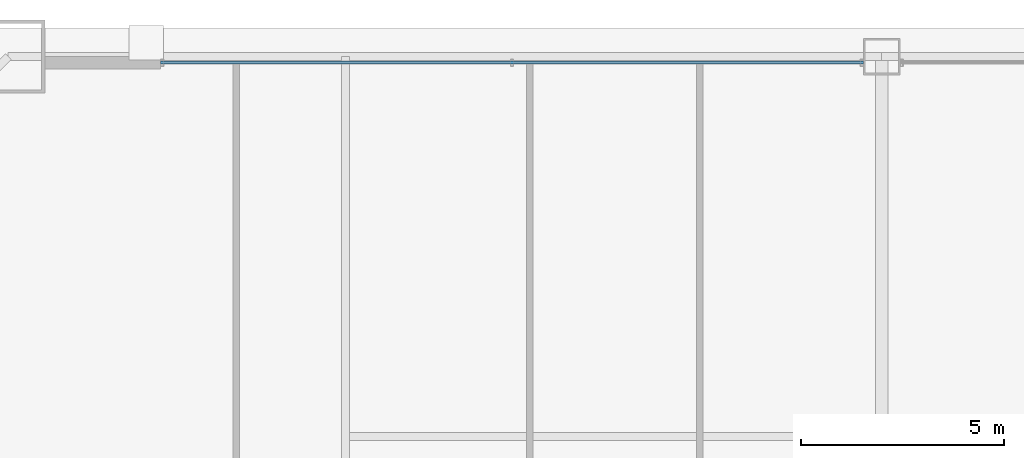
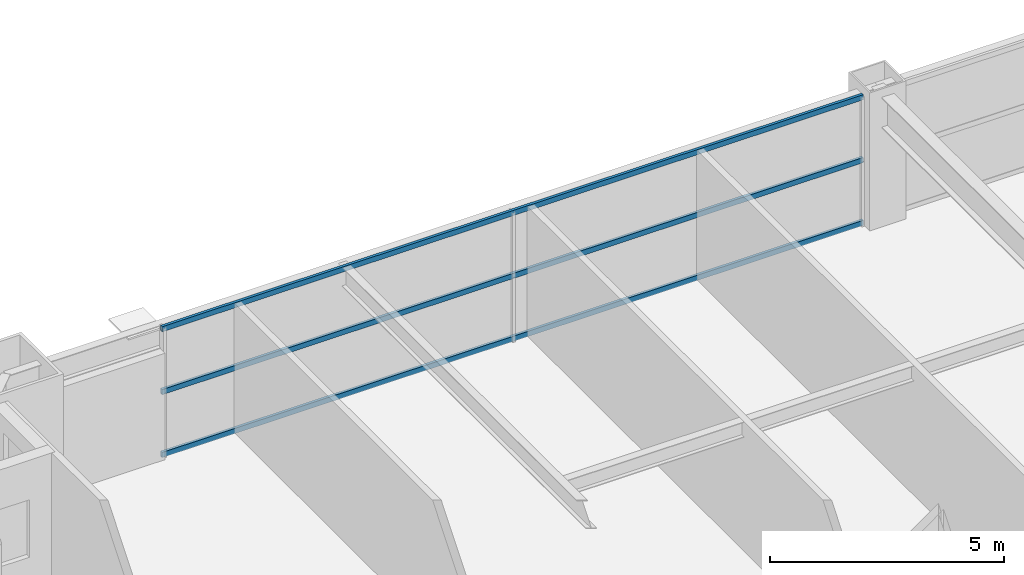
# One storey, part 30 of 45: 3 members, 1 element without a shape of its own.
"""IFC4 building model written with IfcOpenShell, lengths in metres."""

from ifc_helpers import new_model, si_unit, direction, frame, origin, origin_2d, place, context, subcontext, project, spatial, hollow_rectangle, extrude, source, transform, mapped, material, layer, layer_set, material_profile, profile_set, type_object, element, aggregate, save


model = new_model("IFC4")

# Units and contexts
model_context = context("Model", 3, precision=1e-05, world=origin(), true_north=direction((0.0, 1.0)))
body_context = subcontext(model_context, "Body", "Model", "MODEL_VIEW")
ifc_project = project(units=[si_unit("LENGTHUNIT", "METRE"), si_unit("AREAUNIT", "SQUARE_METRE"), si_unit("VOLUMEUNIT", "CUBIC_METRE"), si_unit("PLANEANGLEUNIT", "RADIAN"), si_unit("MASSUNIT", "GRAM", prefix="KILO"), si_unit("THERMODYNAMICTEMPERATUREUNIT", "KELVIN"), si_unit("POWERUNIT", "WATT")], contexts=[model_context])

# Site, building, storey
site_placement = place(None, origin())
site = spatial("IfcSite", under=ifc_project, at=site_placement, CompositionType="ELEMENT")
building_placement = place(site_placement, origin())
building = spatial("IfcBuilding", under=site, at=building_placement, Name="Yuzanri Waterfront Tower", CompositionType="ELEMENT")
storey_placement = place(building_placement, frame((0.0, 0.0, 49.60009765625)))
storey = spatial("IfcBuildingStorey", under=building, at=storey_placement, Name="L12", CompositionType="ELEMENT", Elevation=49.60009765625)

# Curtain wall, members
ifc_material_1 = material(Name="Anodized Architectural Bronze", Category="metal")
ifc_layer = layer(ifc_material_1, 0.159912109375)
ifc_layer_set = layer_set([ifc_layer], Name="Anodized Architectural Bronze")
curtain_wall_type = type_object("IfcCurtainWallType", Name="Anodized Bronze Hotel Lower-Tier Recessed Unitized Curtain Wall 8100", PredefinedType="NOTDEFINED", material=ifc_layer_set)
curtain_wall_placement = place(storey_placement, origin())
curtain_wall = element("IfcCurtainWall", 1, at=curtain_wall_placement, inside=storey, type_object=curtain_wall_type, Name="L12 Curtain Wall CW-L12-NL", PredefinedType="NOTDEFINED")
ifc_material_2 = material(Name="Anodized Architectural Bronze", Category="metal")
ifc_material_profile = material_profile(ifc_material_2, hollow_rectangle(XDim=0.070068359375, YDim=0.135009765625, WallThickness=0.00341796875, at=origin_2d()), Name="CWT 70x135")
ifc_profile_set = profile_set([ifc_material_profile], Name="Anodized Architectural Bronze")
member_type = type_object("IfcMemberType", Name="Anodized Bronze Standard Curtain-Wall Transom 70x135", PredefinedType="USERDEFINED", material=ifc_profile_set)
shared_shape = source(origin(), body_context, "Body", "SweptSolid", [
    extrude(hollow_rectangle(XDim=0.070068359375, YDim=0.135009765625, WallThickness=0.00341796875, at=origin_2d()), origin(), (0.0, 0.0, 1.0), 17.300048828125),
])
member_1_placement = place(storey_placement, frame((19.25, 50.75, 0.0498046875), z_axis=(1.0, 0.0, 0.0), x_axis=(0.0, 1.0, 0.0)))
member_1 = element("IfcMember", 2, at=member_1_placement, type_object=member_type, Name="CW-L12-NL Transom 1", ObjectType="TRANSOM", PredefinedType="USERDEFINED", context=body_context, shape_type="MappedRepresentation", body=[
    mapped(shared_shape, transform((0.0, 0.0, 0.0), scale=1.0)),
])
member_2_placement = place(storey_placement, frame((19.25, 50.75, 1.68994140625), z_axis=(1.0, 0.0, 0.0), x_axis=(0.0, 1.0, 0.0)))
member_2 = element("IfcMember", 3, at=member_2_placement, type_object=member_type, Name="CW-L12-NL Transom 2", ObjectType="TRANSOM", PredefinedType="USERDEFINED", context=body_context, shape_type="MappedRepresentation", body=[
    mapped(shared_shape, transform((0.0, 0.0, 0.0), scale=1.0)),
])
member_3_placement = place(storey_placement, frame((19.25, 50.75, 3.329833984375), z_axis=(1.0, 0.0, 0.0), x_axis=(0.0, 1.0, 0.0)))
member_3 = element("IfcMember", 4, at=member_3_placement, type_object=member_type, Name="CW-L12-NL Transom 3", ObjectType="TRANSOM", PredefinedType="USERDEFINED", context=body_context, shape_type="MappedRepresentation", body=[
    mapped(shared_shape, transform((0.0, 0.0, 0.0), scale=1.0)),
])
aggregate(curtain_wall, [member_1, member_2, member_3])

save(model, "model.ifc")
